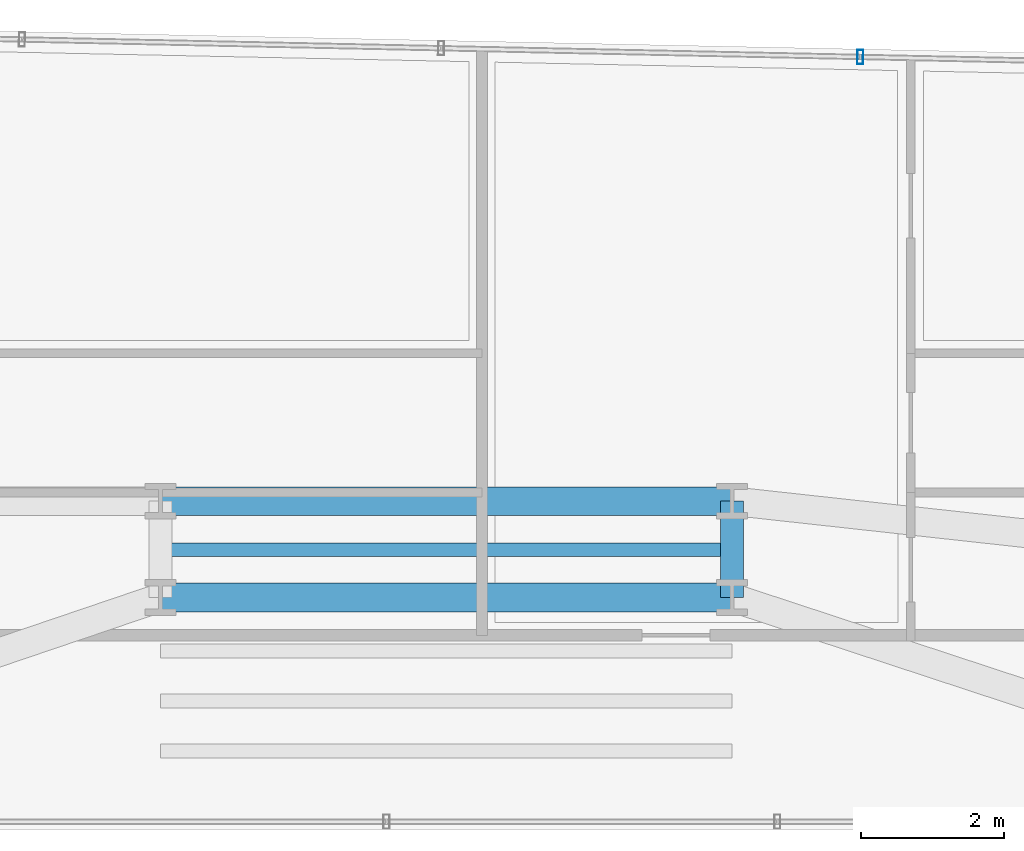
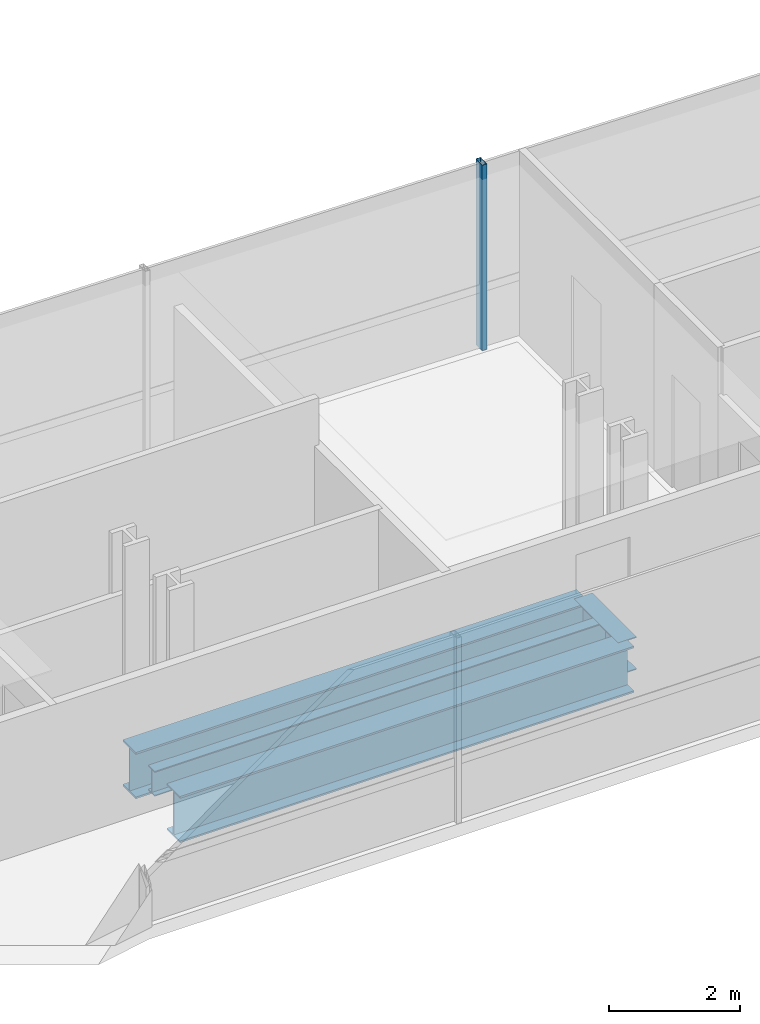
# One storey, part 22 of 41: 4 beams, 1 member, 1 element without a shape of its own.
"""IFC4 building model written with IfcOpenShell, lengths in metres."""

from ifc_helpers import new_model, si_unit, direction, frame, origin, origin_2d, place, context, subcontext, project, spatial, hollow_rectangle, i_section, extrude, source, transform, mapped, material, material_profile, profile_set, type_object, element, aggregate, save


model = new_model("IFC4")

# Units and contexts
model_context = context("Model", 3, precision=1e-05, world=origin(), true_north=direction((0.0, 1.0)))
body_context = subcontext(model_context, "Body", "Model", "MODEL_VIEW")
ifc_project = project(units=[si_unit("LENGTHUNIT", "METRE"), si_unit("AREAUNIT", "SQUARE_METRE"), si_unit("VOLUMEUNIT", "CUBIC_METRE"), si_unit("PLANEANGLEUNIT", "RADIAN"), si_unit("MASSUNIT", "GRAM", prefix="KILO")], contexts=[model_context])

# Site, building, storey
site_placement = place(None, origin())
site = spatial("IfcSite", under=ifc_project, at=site_placement, CompositionType="ELEMENT")
building_placement = place(site_placement, origin())
building = spatial("IfcBuilding", under=site, at=building_placement, Name="Valdorenza Pilgrim Sanctuary Tower", CompositionType="ELEMENT")
storey_placement = place(building_placement, frame((0.0, 0.0, 85.199951171875)))
storey = spatial("IfcBuildingStorey", under=building, at=storey_placement, Name="L21", CompositionType="ELEMENT", Elevation=85.199951171875)

# Beams
ifc_material_1 = material(Name="Steel ASTM A992 Grade 50", Category="steel")
ifc_material_profile_1 = material_profile(ifc_material_1, i_section(OverallWidth=0.39990234375, OverallDepth=0.862060546875, WebThickness=0.019775390625, FlangeThickness=0.032470703125, at=origin_2d()), Name="W33X221")
ifc_profile_set_1 = profile_set([ifc_material_profile_1], Name="Steel ASTM A992 Grade 50")
beam_type_1 = type_object("IfcBeamType", Name="STR-BM-GRD-W33", PredefinedType="BEAM", material=ifc_profile_set_1)
shared_shape_1 = source(origin(), body_context, "Body", "SweptSolid", [
    extrude(i_section(OverallWidth=0.39990234375, OverallDepth=0.862060546875, WebThickness=0.019775390625, FlangeThickness=0.032470703125, at=origin_2d()), origin(), (0.0, 0.0, 1.0), 8.0),
])
for number, where, z_axis, x_axis, name in (
    (1, (-4.0, 13.449951171875, -0.6708984375), (1.0, 0.0, 0.0), (0.0, 1.0, 0.0), "L21 Floor Girder KNK-G2"),
    (2, (-4.0, 14.800048828125, -0.6708984375), (1.0, 0.0, 0.0), (0.0, 1.0, 0.0), "L21 Floor Girder KNK-G5"),
):
    element("IfcBeam", number, at=place(storey_placement, frame(where, z_axis=z_axis, x_axis=x_axis)), inside=storey, type_object=beam_type_1, Name=name, PredefinedType="BEAM", context=body_context, shape_type="MappedRepresentation", body=[
        mapped(shared_shape_1, transform((0.0, 0.0, 0.0), x_axis=(1.0, 0.0, 0.0), y_axis=(0.0, 1.0, 0.0), z_axis=(0.0, 0.0, 1.0), scale=1.0)),
    ])
ifc_material_profile_2 = material_profile(ifc_material_1, i_section(OverallWidth=0.323974609375, OverallDepth=0.611083984375, WebThickness=0.0126953125, FlangeThickness=0.01904296875, at=origin_2d()), Name="W24X104")
ifc_profile_set_2 = profile_set([ifc_material_profile_2], Name="Steel ASTM A992 Grade 50")
beam_type_2 = type_object("IfcBeamType", Name="STR-BM-GRD-W24B", PredefinedType="BEAM", material=ifc_profile_set_2)
shared_shape_2 = source(origin(), body_context, "Body", "SweptSolid", [
    extrude(i_section(OverallWidth=0.323974609375, OverallDepth=0.611083984375, WebThickness=0.0126953125, FlangeThickness=0.01904296875, at=origin_2d()), origin(), (0.0, 0.0, 1.0), 1.35009765625),
])
beam_1_placement = place(storey_placement, frame((4.0, 13.449951171875, -0.54541015625), z_axis=(0.0, 1.0, 0.0), x_axis=(-1.0, 0.0, 0.0)))
element("IfcBeam", 3, at=beam_1_placement, inside=storey, type_object=beam_type_2, Name="L21 Floor Girder KNK-TIE-E", PredefinedType="BEAM", context=body_context, shape_type="MappedRepresentation", body=[
    mapped(shared_shape_2, transform((0.0, 0.0, 0.0), x_axis=(1.0, 0.0, 0.0), y_axis=(0.0, 1.0, 0.0), z_axis=(0.0, 0.0, 1.0), scale=1.0)),
])
ifc_material_profile_3 = material_profile(ifc_material_1, i_section(OverallWidth=0.193115234375, OverallDepth=0.466064453125, WebThickness=0.011474609375, FlangeThickness=0.01904296875, at=origin_2d()), Name="W18X65")
ifc_profile_set_3 = profile_set([ifc_material_profile_3], Name="Steel ASTM A992 Grade 50")
beam_type_3 = type_object("IfcBeamType", Name="STR-BM-JST-W18A", PredefinedType="JOIST", material=ifc_profile_set_3)
shared_shape_3 = source(origin(), body_context, "Body", "SweptSolid", [
    extrude(i_section(OverallWidth=0.193115234375, OverallDepth=0.466064453125, WebThickness=0.011474609375, FlangeThickness=0.01904296875, at=origin_2d()), origin(), (0.0, 0.0, 1.0), 8.0),
])
beam_2_placement = place(storey_placement, frame((-4.0, 14.1201171875, -0.472900390625), z_axis=(1.0, 0.0, 0.0), x_axis=(0.0, 1.0, 0.0)))
element("IfcBeam", 4, at=beam_2_placement, inside=storey, type_object=beam_type_3, Name="L21 Knuckle Composite Joist JST-KNK-4", PredefinedType="JOIST", context=body_context, shape_type="MappedRepresentation", body=[
    mapped(shared_shape_3, transform((0.0, 0.0, 0.0), x_axis=(1.0, 0.0, 0.0), y_axis=(0.0, 1.0, 0.0), z_axis=(0.0, 0.0, 1.0), scale=1.0)),
])

# Curtain wall, member
ifc_material_2 = material(Name="Curtain-wall IGU glazing", Category="glass")
curtain_wall_type = type_object("IfcCurtainWallType", Name="CW-SYS-02", PredefinedType="NOTDEFINED", material=ifc_material_2)
curtain_wall_placement = place(storey_placement, origin())
curtain_wall = element("IfcCurtainWall", 5, at=curtain_wall_placement, inside=storey, type_object=curtain_wall_type, Name="L21 Curtain Wall CW-L21-1-11", PredefinedType="NOTDEFINED")
ifc_material_3 = material(Name="Anodised aluminium AW-6060", Category="aluminium")
ifc_material_profile_4 = material_profile(ifc_material_3, hollow_rectangle(XDim=0.0849609375, YDim=0.199951171875, WallThickness=0.0048828125, at=origin_2d()), Name="ALU-M 200x85x5")
ifc_profile_set_4 = profile_set([ifc_material_profile_4], Name="Anodised aluminium AW-6060")
member_type = type_object("IfcMemberType", Name="CW-MUL-02", PredefinedType="MULLION", material=ifc_profile_set_4)
shared_shape_4 = source(origin(), body_context, "Body", "SweptSolid", [
    extrude(hollow_rectangle(XDim=0.0849609375, YDim=0.199951171875, WallThickness=0.0048828125, at=origin_2d()), origin(), (0.0, 0.0, 1.0), 3.4599609375),
])
member_placement = place(storey_placement, frame((5.797119140625, 21.019287109375, 0.0), z_axis=(0.0, 0.0, 1.0), x_axis=(0.999783234613, -0.020820273474, 0.0)))
member = element("IfcMember", 6, at=member_placement, type_object=member_type, Name="CW-L21-1-11 Mullion 4", PredefinedType="MULLION", context=body_context, shape_type="MappedRepresentation", body=[
    mapped(shared_shape_4, transform((0.0, 0.0, 0.0), x_axis=(1.0, 0.0, 0.0), y_axis=(0.0, 1.0, 0.0), z_axis=(0.0, 0.0, 1.0), scale=1.0)),
])
aggregate(curtain_wall, [member])

save(model, "model.ifc")
